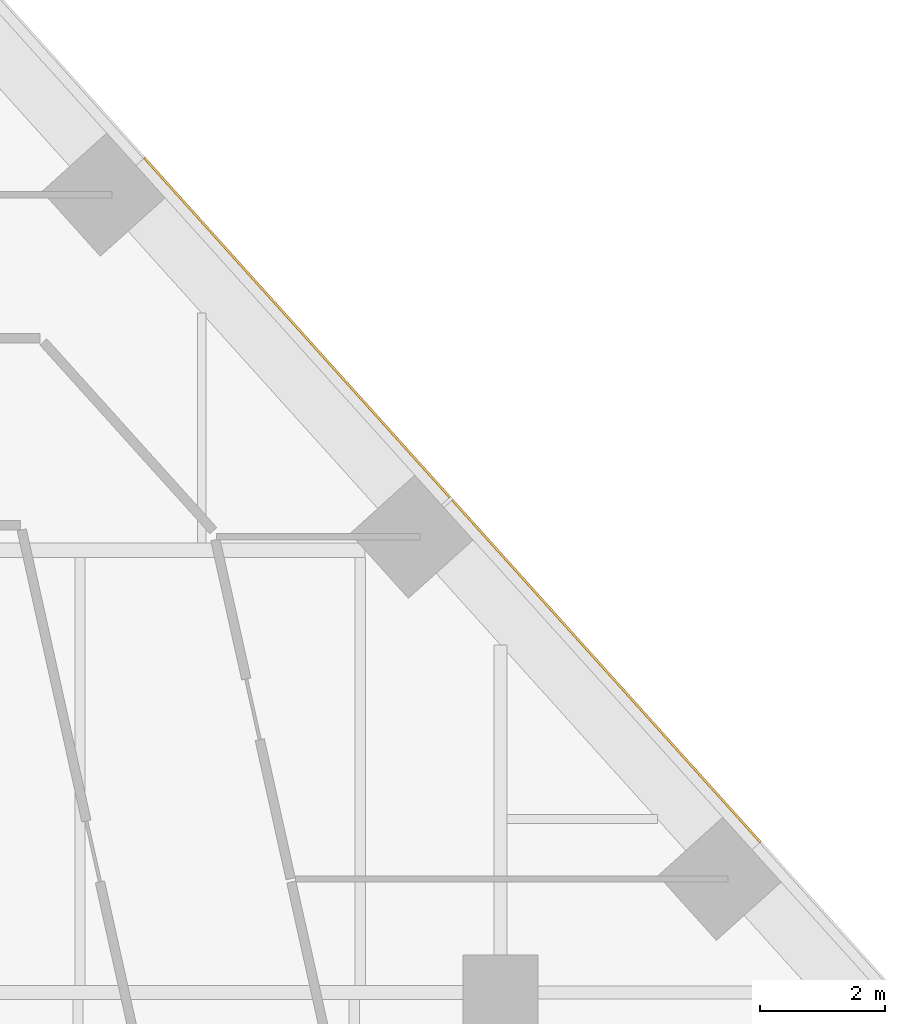
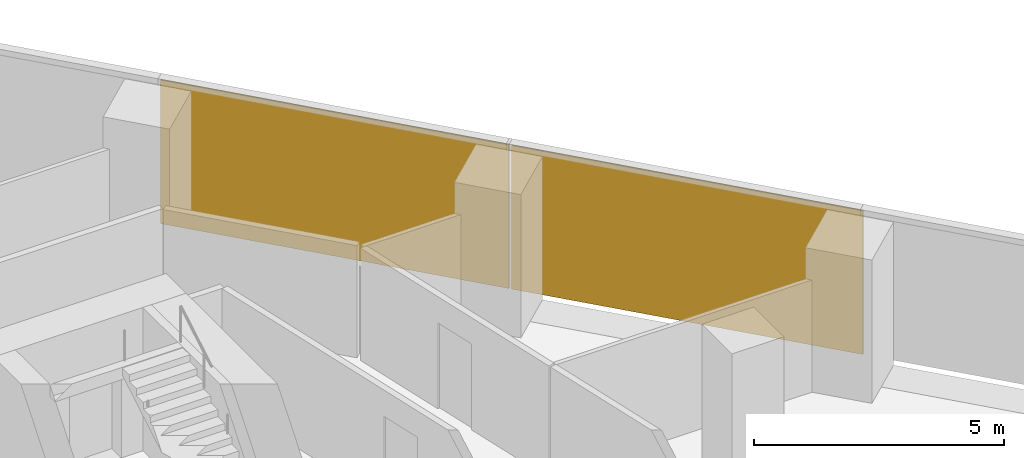
# One storey, part 16 of 16: 2 coverings, 1 element without a shape of its own.
"""IFC4 building model written with IfcOpenShell, lengths in metres."""

from ifc_helpers import new_model, si_unit, direction, frame, origin, origin_2d, place, context, subcontext, project, spatial, rectangle, extrude, material, layer, layer_set, type_object, element, aggregate, save


model = new_model("IFC4")

# Units and contexts
model_context = context("Model", 3, precision=1e-05, world=origin(), true_north=direction((0.0, 1.0)))
body_context = subcontext(model_context, "Body", "Model", "MODEL_VIEW")
ifc_project = project(units=[si_unit("LENGTHUNIT", "METRE"), si_unit("AREAUNIT", "SQUARE_METRE"), si_unit("VOLUMEUNIT", "CUBIC_METRE"), si_unit("PLANEANGLEUNIT", "RADIAN"), si_unit("MASSUNIT", "GRAM", prefix="KILO")], contexts=[model_context])

# Site, building, storey
site_placement = place(None, origin())
site = spatial("IfcSite", under=ifc_project, at=site_placement, CompositionType="ELEMENT")
building_placement = place(site_placement, origin())
building = spatial("IfcBuilding", under=site, at=building_placement, Name="Isthmus Gate Tower", CompositionType="ELEMENT")
storey_placement = place(building_placement, frame((0.0, 0.0, 137.10009765625)))
storey = spatial("IfcBuildingStorey", under=building, at=storey_placement, Name="L33", CompositionType="ELEMENT", Elevation=137.10009765625)

# Curtain wall, coverings
ifc_material_1 = material(Name="Aluminium, pale champagne anodised", Category="aluminium")
ifc_layer_1 = layer(ifc_material_1, 0.199951171875)
ifc_layer_set_1 = layer_set([ifc_layer_1], Name="CW-1 UNITISED CURTAIN WALL 200 DEEP")
curtain_wall_type = type_object("IfcCurtainWallType", Name="CW-1 UNITISED CURTAIN WALL 200 DEEP", PredefinedType="NOTDEFINED", material=ifc_layer_set_1)
curtain_wall_placement = place(storey_placement, origin())
curtain_wall = element("IfcCurtainWall", 1, at=curtain_wall_placement, inside=storey, type_object=curtain_wall_type, Name="CW-1 NE L33", PredefinedType="NOTDEFINED")
ifc_material_2 = material(Name="Aluminium composite panel, pale champagne anodised", Category="aluminium")
ifc_layer_2 = layer(ifc_material_2, 0.035888671875)
ifc_layer_set_2 = layer_set([ifc_layer_2], Name="CW-1 PALE METAL PANEL 36")
covering_type = type_object("IfcCoveringType", Name="CW-1 PALE METAL PANEL 36", PredefinedType="CLADDING", material=ifc_layer_set_2)
covering_1_placement = place(storey_placement, frame((25.70068359375, 12.659423828125, 0.0), z_axis=(0.0, 0.0, 1.0), x_axis=(-0.669130606359, 0.743144825477, 0.0)))
covering_1 = element("IfcCovering", 2, at=covering_1_placement, type_object=covering_type, Name="CW-1 pale metal panel", PredefinedType="CLADDING", context=body_context, shape_type="SweptSolid", body=[
    extrude(rectangle(XDim=7.390869140625, YDim=0.035888671875, at=origin_2d()), origin(), (0.0, 0.0, 1.0), 3.510009765625),
])
covering_2_placement = place(storey_placement, frame((20.735107421875, 18.17431640625, 0.0), z_axis=(0.0, 0.0, 1.0), x_axis=(-0.669130606359, 0.743144825477, 0.0)))
covering_2 = element("IfcCovering", 3, at=covering_2_placement, type_object=covering_type, Name="CW-1 pale metal panel", PredefinedType="CLADDING", context=body_context, shape_type="SweptSolid", body=[
    extrude(rectangle(XDim=7.330810546875, YDim=0.035888671875, at=origin_2d()), origin(), (0.0, 0.0, 1.0), 3.510009765625),
])
aggregate(curtain_wall, [covering_1, covering_2])

save(model, "model.ifc")
